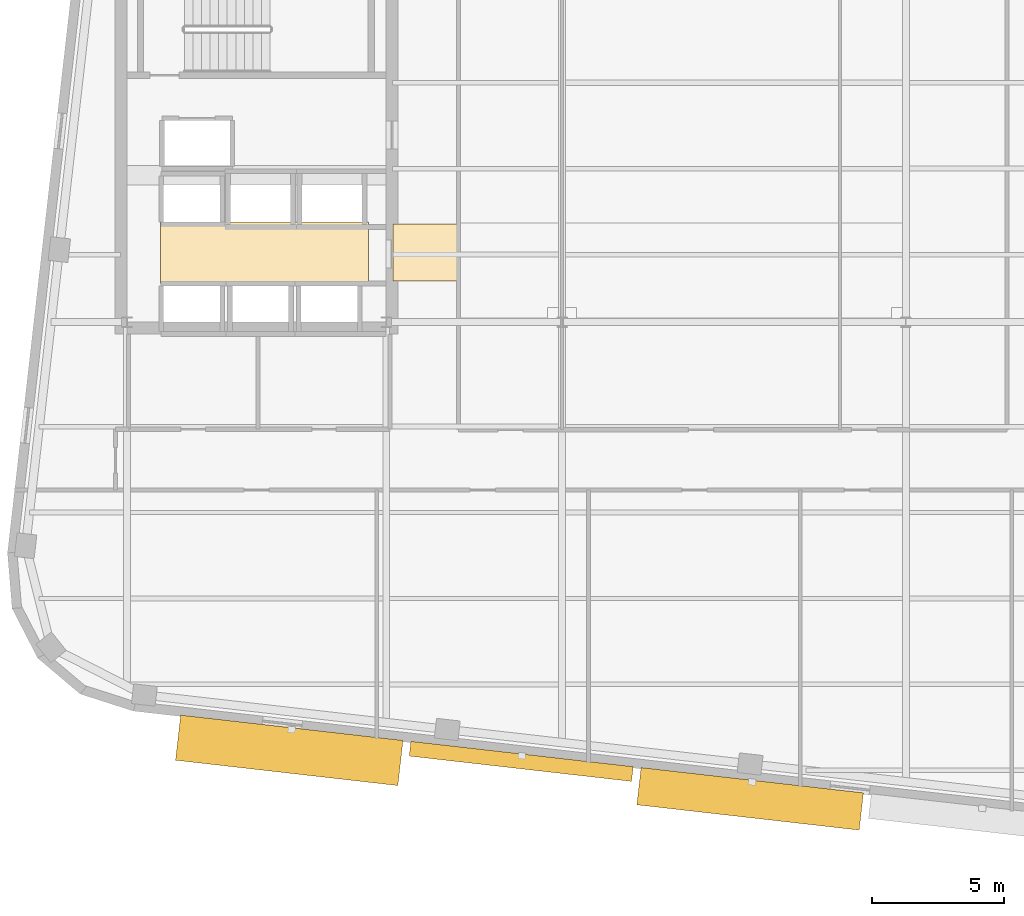
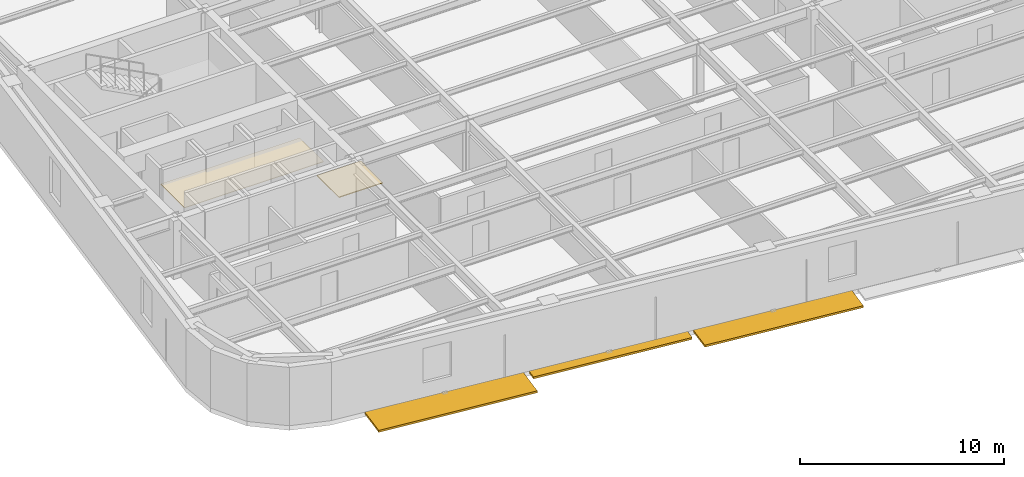
# One storey, part 9 of 12: 3 shading devices, 2 coverings.
"""IFC4 building model written with IfcOpenShell, lengths in metres."""

from ifc_helpers import new_model, si_unit, direction, frame, origin, origin_2d, place, context, subcontext, project, spatial, polyline, rectangle, outline, extrude, material, layer, layer_set, type_object, element, save


model = new_model("IFC4")

# Units and contexts
model_context = context("Model", 3, precision=1e-05, world=origin(), true_north=direction((0.0, 1.0)))
body_context = subcontext(model_context, "Body", "Model", "MODEL_VIEW")
ifc_project = project(units=[si_unit("LENGTHUNIT", "METRE"), si_unit("AREAUNIT", "SQUARE_METRE"), si_unit("VOLUMEUNIT", "CUBIC_METRE"), si_unit("PLANEANGLEUNIT", "RADIAN"), si_unit("MASSUNIT", "GRAM", prefix="KILO")], contexts=[model_context])

# Site, building, storey
site_placement = place(None, origin())
site = spatial("IfcSite", under=ifc_project, at=site_placement, CompositionType="ELEMENT")
building_placement = place(site_placement, origin())
building = spatial("IfcBuilding", under=site, at=building_placement, Name="Kolvaren Arena Tower", CompositionType="ELEMENT")
storey_placement = place(building_placement, frame((0.0, 0.0, 220.949951171875)))
storey = spatial("IfcBuildingStorey", under=building, at=storey_placement, Name="L53", CompositionType="ELEMENT", Elevation=220.949951171875)

# Coverings
ifc_material_1 = material(Name="Moisture-resistant gypsum ceiling", Category="gypsum")
ifc_layer_1 = layer(ifc_material_1, 0.030029296875)
ifc_layer_set_1 = layer_set([ifc_layer_1], Name="Moisture-resistant gypsum ceiling")
covering_type_1 = type_object("IfcCoveringType", Name="CEIL-GYP-1", PredefinedType="CEILING", material=ifc_layer_set_1)
covering_1_placement = place(storey_placement, frame((0.0, 0.0, 2.52001953125)))
element("IfcCovering", 1, at=covering_1_placement, inside=storey, type_object=covering_type_1, Name="Suspended Ceiling (L53)", PredefinedType="CEILING", context=body_context, shape_type="SweptSolid", body=[
    extrude(outline(polyline([(15.820068359375, 20.89990234375), (15.820068359375, 23.239990234375), (23.679931640625, 23.239990234375), (23.679931640625, 20.89990234375), (15.820068359375, 20.89990234375)])), origin(), (0.0, 0.0, 1.0), 0.030029296875),
])
ifc_material_2 = material(Name="Raised access office floor finish", Category="aluminium")
ifc_layer_2 = layer(ifc_material_2, 0.044921875)
ifc_layer_set_2 = layer_set([ifc_layer_2], Name="Raised access office floor finish")
covering_type_2 = type_object("IfcCoveringType", Name="FLOR-RAF-1", PredefinedType="FLOORING", material=ifc_layer_set_2)
covering_2_placement = place(storey_placement, origin())
element("IfcCovering", 2, at=covering_2_placement, inside=storey, type_object=covering_type_2, Name="Floor Finish (L53)", PredefinedType="FLOORING", context=body_context, shape_type="SweptSolid", body=[
    extrude(outline(polyline([(24.60009765625, 21.0), (24.60009765625, 23.14990234375), (27.080078125, 23.14990234375), (27.080078125, 21.0), (24.60009765625, 21.0)])), origin(), (0.0, 0.0, 1.0), 0.045166015625),
])

# Shading devices
ifc_material_3 = material(Name="Architectural precast GFRC and anodised aluminium sunshade", Category="concrete")
shading_device_type_1 = type_object("IfcShadingDeviceType", Name="SHAD-SINE-A", PredefinedType="USERDEFINED", material=ifc_material_3)
shading_device_1_placement = place(storey_placement, frame((29.455322265625, 2.841552734375, -0.139892578125), z_axis=(0.0, 0.0, 1.0), x_axis=(-0.993571658098, 0.113204947878, 0.0)))
element("IfcShadingDevice", 3, at=shading_device_1_placement, inside=storey, type_object=shading_device_type_1, Name="Sinusoidal Slab-Edge Sunshade Louvre (L53)", ObjectType="LOUVRE", PredefinedType="USERDEFINED", context=body_context, shape_type="SweptSolid", body=[
    extrude(rectangle(XDim=8.4599609375, YDim=0.560302734375, at=origin_2d()), origin(), (0.0, 0.0, 1.0), 0.1201171875),
])
shading_device_type_2 = type_object("IfcShadingDeviceType", Name="SHAD-SINE-B", PredefinedType="JALOUSIE", material=ifc_material_3)
shading_device_2_placement = place(storey_placement, frame((38.110595703125, 1.424560546875, -0.139892578125), z_axis=(0.0, 0.0, 1.0), x_axis=(-0.993571658098, 0.113204947878, 0.0)))
element("IfcShadingDevice", 4, at=shading_device_2_placement, inside=storey, type_object=shading_device_type_2, Name="Sinusoidal Slab-Edge Sunshade Louvre (L53)", PredefinedType="JALOUSIE", context=body_context, shape_type="SweptSolid", body=[
    extrude(rectangle(XDim=8.4599609375, YDim=1.416748046875, at=origin_2d()), origin(), (0.0, 0.0, 1.0), 0.1201171875),
])
shading_device_3_placement = place(storey_placement, frame((20.68603515625, 3.258544921875, -0.139892578125), z_axis=(0.0, 0.0, 1.0), x_axis=(-0.993571658098, 0.113204947878, 0.0)))
element("IfcShadingDevice", 5, at=shading_device_3_placement, inside=storey, type_object=shading_device_type_2, Name="Sinusoidal Slab-Edge Sunshade Louvre (L53)", PredefinedType="JALOUSIE", context=body_context, shape_type="SweptSolid", body=[
    extrude(rectangle(XDim=8.4599609375, YDim=1.717041015625, at=origin_2d()), origin(), (0.0, 0.0, 1.0), 0.1201171875),
])

save(model, "model.ifc")
